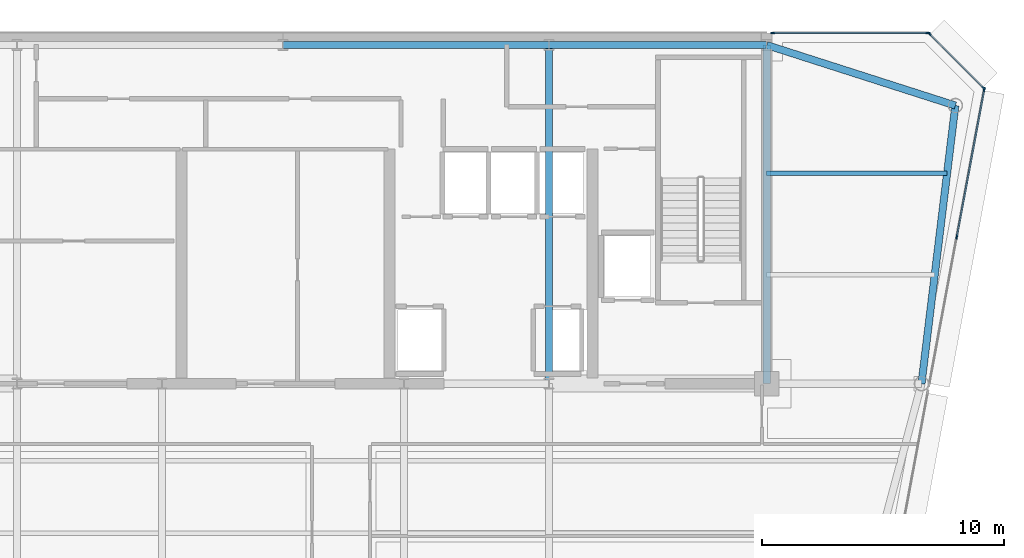
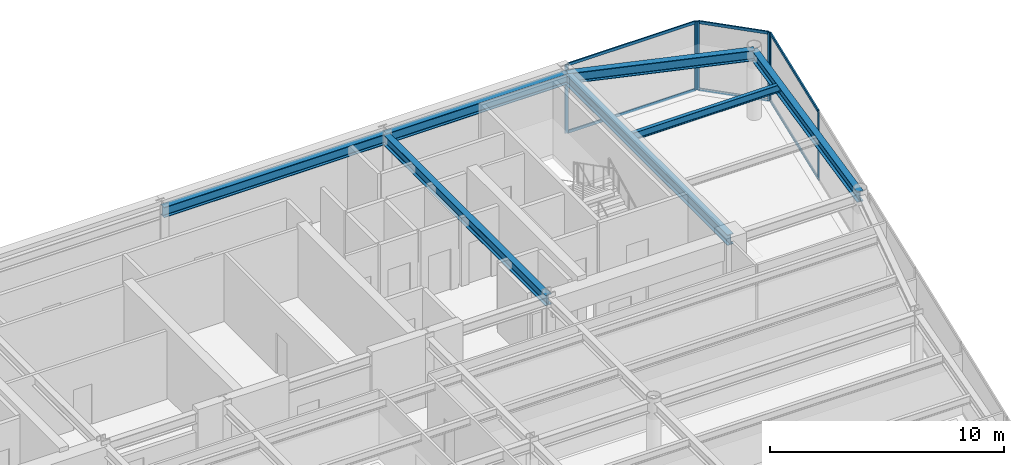
# One storey, part 8 of 18: 12 members, 7 beams, 3 elements without a shape of their own.
"""IFC4 building model written with IfcOpenShell, lengths in metres."""

from ifc_helpers import new_model, si_unit, direction, frame, origin, origin_2d, place, context, subcontext, project, spatial, rectangle, i_section, extrude, source, transform, mapped, material, layer, layer_set, material_profile, profile_set, type_object, element, aggregate, save


model = new_model("IFC4")

# Units and contexts
model_context = context("Model", 3, precision=1e-05, world=origin(), true_north=direction((0.0, 1.0)))
body_context = subcontext(model_context, "Body", "Model", "MODEL_VIEW")
ifc_project = project(units=[si_unit("LENGTHUNIT", "METRE"), si_unit("AREAUNIT", "SQUARE_METRE"), si_unit("VOLUMEUNIT", "CUBIC_METRE"), si_unit("PLANEANGLEUNIT", "RADIAN"), si_unit("MASSUNIT", "GRAM", prefix="KILO")], contexts=[model_context])

# Site, building, storey
site_placement = place(None, origin())
site = spatial("IfcSite", under=ifc_project, at=site_placement, CompositionType="ELEMENT")
building_placement = place(site_placement, origin())
building = spatial("IfcBuilding", under=site, at=building_placement, Name="Vaeldorn Concourse Tower", CompositionType="ELEMENT")
storey_placement = place(building_placement, frame((0.0, 0.0, 246.0)))
storey = spatial("IfcBuildingStorey", under=building, at=storey_placement, Name="L63", CompositionType="ELEMENT", Elevation=246.0)

# Beams
ifc_material_1 = material(Name="Steel S355", Category="steel")
ifc_material_profile_1 = material_profile(ifc_material_1, i_section(OverallWidth=0.179931640625, OverallDepth=0.39990234375, WebThickness=0.008544921875, FlangeThickness=0.013427734375, FilletRadius=0.02099609375, at=origin_2d()), Name="IPE 400")
ifc_profile_set_1 = profile_set([ifc_material_profile_1], Name="Steel S355")
beam_type_1 = type_object("IfcBeamType", Name="BM-JS-IPE400", PredefinedType="JOIST", material=ifc_profile_set_1)
shared_shape_1 = source(origin(), body_context, "Body", "SweptSolid", [
    extrude(i_section(OverallWidth=0.179931640625, OverallDepth=0.39990234375, WebThickness=0.008544921875, FlangeThickness=0.013427734375, FilletRadius=0.02099609375, at=origin_2d()), origin(), (0.0, 0.0, 1.0), 7.458984375),
])
beam_1_placement = place(storey_placement, frame((54.0, 45.199951171875, 3.3798828125), z_axis=(1.0, 0.0, 0.0), x_axis=(0.0, 1.0, 0.0)))
element("IfcBeam", 1, at=beam_1_placement, inside=storey, type_object=beam_type_1, Name="Beam JS-L63-NE-452", PredefinedType="JOIST", context=body_context, shape_type="MappedRepresentation", body=[
    mapped(shared_shape_1, transform((0.0, 0.0, 0.0), scale=1.0)),
])
ifc_material_profile_2 = material_profile(ifc_material_1, i_section(OverallWidth=0.300048828125, OverallDepth=0.550048828125, WebThickness=0.014892578125, FlangeThickness=0.029052734375, FilletRadius=0.027099609375, at=origin_2d()), Name="HEB 550")
ifc_profile_set_2 = profile_set([ifc_material_profile_2], Name="Steel S355")
beam_type_2 = type_object("IfcBeamType", Name="BM-PG-HEB550", PredefinedType="BEAM", material=ifc_profile_set_2)
shared_shape_2 = source(origin(), body_context, "Body", "SweptSolid", [
    extrude(i_section(OverallWidth=0.300048828125, OverallDepth=0.550048828125, WebThickness=0.014892578125, FlangeThickness=0.029052734375, FilletRadius=0.027099609375, at=origin_2d()), origin(), (0.0, 0.0, 1.0), 9.0),
])
beam_2_placement = place(storey_placement, frame((45.0, 50.5, 3.304931640625), z_axis=(1.0, 0.0, 0.0), x_axis=(0.0, 1.0, 0.0)))
element("IfcBeam", 2, at=beam_2_placement, inside=storey, type_object=beam_type_2, Name="Beam BM-L63-C-HC4-C-HC5", PredefinedType="BEAM", context=body_context, shape_type="MappedRepresentation", body=[
    mapped(shared_shape_2, transform((0.0, 0.0, 0.0), scale=1.0)),
])
shared_shape_3 = source(origin(), body_context, "Body", "SweptSolid", [
    extrude(i_section(OverallWidth=0.300048828125, OverallDepth=0.550048828125, WebThickness=0.014892578125, FlangeThickness=0.029052734375, FilletRadius=0.027099609375, at=origin_2d()), origin(), (0.0, 0.0, 1.0), 11.0),
])
beam_3_placement = place(storey_placement, frame((34.0, 50.5, 3.304931640625), z_axis=(1.0, 0.0, 0.0), x_axis=(0.0, 1.0, 0.0)))
element("IfcBeam", 3, at=beam_3_placement, inside=storey, type_object=beam_type_2, Name="Beam BM-L63-C-HC3-C-HC4", PredefinedType="BEAM", context=body_context, shape_type="MappedRepresentation", body=[
    mapped(shared_shape_3, transform((0.0, 0.0, 0.0), scale=1.0)),
])
shared_shape_4 = source(origin(), body_context, "Body", "SweptSolid", [
    extrude(i_section(OverallWidth=0.300048828125, OverallDepth=0.550048828125, WebThickness=0.014892578125, FlangeThickness=0.029052734375, FilletRadius=0.027099609375, at=origin_2d()), origin(), (0.0, 0.0, 1.0), 14.0),
])
for number, where, z_axis, x_axis, name in (
    (4, (45.0, 36.5, 3.304931640625), (0.0, 1.0, 0.0), (-1.0, 0.0, 0.0), "Beam BM-L63-C-FC5-C-HC4"),
    (5, (54.0, 36.5, 3.304931640625), (0.0, 1.0, 0.0), (-1.0, 0.0, 0.0), "Beam BM-L63-C-FC6-C-HC5"),
):
    element("IfcBeam", number, at=place(storey_placement, frame(where, z_axis=z_axis, x_axis=x_axis)), inside=storey, type_object=beam_type_2, Name=name, PredefinedType="BEAM", context=body_context, shape_type="MappedRepresentation", body=[
        mapped(shared_shape_4, transform((0.0, 0.0, 0.0), scale=1.0)),
    ])
shared_shape_5 = source(origin(), body_context, "Body", "SweptSolid", [
    extrude(i_section(OverallWidth=0.300048828125, OverallDepth=0.550048828125, WebThickness=0.014892578125, FlangeThickness=0.029052734375, FilletRadius=0.027099609375, at=origin_2d()), origin(), (0.0, 0.0, 1.0), 8.19091796875),
])
beam_4_placement = place(storey_placement, frame((54.0, 50.5, 3.304931640625), z_axis=(0.952282843383, -0.305216949396, 0.0), x_axis=(0.305216949396, 0.952282843383, 0.0)))
element("IfcBeam", 6, at=beam_4_placement, inside=storey, type_object=beam_type_2, Name="Beam BM-L63-C-HC5-C-NE1", PredefinedType="BEAM", context=body_context, shape_type="MappedRepresentation", body=[
    mapped(shared_shape_5, transform((0.0, 0.0, 0.0), scale=1.0)),
])
shared_shape_6 = source(origin(), body_context, "Body", "SweptSolid", [
    extrude(i_section(OverallWidth=0.300048828125, OverallDepth=0.550048828125, WebThickness=0.014892578125, FlangeThickness=0.029052734375, FilletRadius=0.027099609375, at=origin_2d()), origin(), (0.0, 0.0, 1.0), 11.5849609375),
])
beam_5_placement = place(storey_placement, frame((61.800048828125, 48.0, 3.304931640625), z_axis=(-0.120859382899, -0.992669637677, 0.0), x_axis=(0.992669637677, -0.120859382899, 0.0)))
element("IfcBeam", 7, at=beam_5_placement, inside=storey, type_object=beam_type_2, Name="Beam BM-L63-C-NE1-C-NE2", PredefinedType="BEAM", context=body_context, shape_type="MappedRepresentation", body=[
    mapped(shared_shape_6, transform((0.0, 0.0, 0.0), scale=1.0)),
])

# Curtain wall, members
ifc_material_2 = material(Name="Anodised Bronze Aluminium", Category="aluminium")
ifc_layer = layer(ifc_material_2, 0.179931640625)
ifc_layer_set = layer_set([ifc_layer], Name="Anodised Bronze Aluminium")
curtain_wall_type = type_object("IfcCurtainWallType", Name="CW-SYS-05", PredefinedType="NOTDEFINED", material=ifc_layer_set)
curtain_wall_1_placement = place(storey_placement, origin())
curtain_wall_1 = element("IfcCurtainWall", 8, at=curtain_wall_1_placement, inside=storey, type_object=curtain_wall_type, Name="Unitised Curtain Wall CW-L63-E08-1", PredefinedType="NOTDEFINED")
ifc_material_profile_3 = material_profile(ifc_material_2, rectangle(XDim=0.06494140625, YDim=0.14990234375, at=origin_2d()), Name="CWT 65x150")
ifc_profile_set_3 = profile_set([ifc_material_profile_3], Name="Anodised Bronze Aluminium")
member_type_1 = type_object("IfcMemberType", Name="CWT-BRONZE-150", PredefinedType="USERDEFINED", material=ifc_profile_set_3)
shared_shape_7 = source(origin(), body_context, "Body", "SweptSolid", [
    extrude(rectangle(XDim=0.06494140625, YDim=0.14990234375, at=origin_2d()), origin(), (0.0, 0.0, 1.0), 3.123046875),
])
member_1_placement = place(storey_placement, frame((62.9541015625, 48.745849609375, 0.032470703125), z_axis=(-0.707106781187, 0.707106781187, 0.0), x_axis=(-0.707106781187, -0.707106781187, 0.0)))
member_1 = element("IfcMember", 9, at=member_1_placement, type_object=member_type_1, Name="CW-05 transom 1.1", ObjectType="TRANSOM", PredefinedType="USERDEFINED", context=body_context, shape_type="MappedRepresentation", body=[
    mapped(shared_shape_7, transform((0.0, 0.0, 0.0), scale=1.0)),
])
member_2_placement = place(storey_placement, frame((62.9541015625, 48.745849609375, 3.547607421875), z_axis=(-0.707106781187, 0.707106781187, 0.0), x_axis=(-0.707106781187, -0.707106781187, 0.0)))
member_2 = element("IfcMember", 10, at=member_2_placement, type_object=member_type_1, Name="CW-05 transom 1.2", ObjectType="TRANSOM", PredefinedType="USERDEFINED", context=body_context, shape_type="MappedRepresentation", body=[
    mapped(shared_shape_7, transform((0.0, 0.0, 0.0), scale=1.0)),
])

curtain_wall_2_placement = place(storey_placement, origin())
curtain_wall_2 = element("IfcCurtainWall", 11, at=curtain_wall_2_placement, inside=storey, type_object=curtain_wall_type, Name="Unitised Curtain Wall CW-L63-E07-2", PredefinedType="NOTDEFINED")
ifc_material_profile_4 = material_profile(ifc_material_2, rectangle(XDim=0.06494140625, YDim=0.169921875, at=origin_2d()), Name="CWM 65x170")
ifc_profile_set_4 = profile_set([ifc_material_profile_4], Name="Anodised Bronze Aluminium")
member_type_2 = type_object("IfcMemberType", Name="CWM-BRONZE-170", PredefinedType="MULLION", material=ifc_profile_set_4)
shared_shape_8 = source(origin(), body_context, "Body", "SweptSolid", [
    extrude(rectangle(XDim=0.06494140625, YDim=0.169921875, at=origin_2d()), origin(), (0.0, 0.0, 1.0), 3.580078125),
])
member_3_placement = place(storey_placement, frame((61.857421875, 42.564208984375, 0.0), z_axis=(0.0, 0.0, 1.0), x_axis=(-0.983102768025, 0.183054493257, 0.0)))
member_3 = element("IfcMember", 12, at=member_3_placement, type_object=member_type_2, Name="CW-05 mullion 2", PredefinedType="MULLION", context=body_context, shape_type="MappedRepresentation", body=[
    mapped(shared_shape_8, transform((0.0, 0.0, 0.0), scale=1.0)),
])
member_4_placement = place(storey_placement, frame((62.994140625, 48.66796875, 0.0), z_axis=(0.0, 0.0, 1.0), x_axis=(-0.983102768025, 0.183054493257, 0.0)))
member_4 = element("IfcMember", 13, at=member_4_placement, type_object=member_type_2, Name="CW-05 mullion 3", PredefinedType="MULLION", context=body_context, shape_type="MappedRepresentation", body=[
    mapped(shared_shape_8, transform((0.0, 0.0, 0.0), scale=1.0)),
])

# Member
member_5_placement = place(storey_placement, frame((62.97705078125, 48.722900390625, 0.0), z_axis=(0.0, 0.0, 1.0), x_axis=(-0.707106781187, -0.707106781187, 0.0)))
member_5 = element("IfcMember", 14, at=member_5_placement, type_object=member_type_2, Name="CW-05 mullion 1", PredefinedType="MULLION", context=body_context, shape_type="MappedRepresentation", body=[
    mapped(shared_shape_8, transform((0.0, 0.0, 0.0), scale=1.0)),
])

member_6_placement = place(storey_placement, frame((60.722900390625, 50.97705078125, 0.0), z_axis=(0.0, 0.0, 1.0), x_axis=(-0.707106781187, -0.707106781187, 0.0)))
member_6 = element("IfcMember", 15, at=member_6_placement, type_object=member_type_2, Name="CW-05 mullion 2", PredefinedType="MULLION", context=body_context, shape_type="MappedRepresentation", body=[
    mapped(shared_shape_8, transform((0.0, 0.0, 0.0), scale=1.0)),
])

aggregate(curtain_wall_1, [member_5, member_6, member_1, member_2])

# Curtain wall, members
curtain_wall_3_placement = place(storey_placement, origin())
curtain_wall_3 = element("IfcCurtainWall", 16, at=curtain_wall_3_placement, inside=storey, type_object=curtain_wall_type, Name="Unitised Curtain Wall CW-L63-E09-1", PredefinedType="NOTDEFINED")
member_7_placement = place(storey_placement, frame((60.66748046875, 51.0, 0.0), z_axis=(0.0, 0.0, 1.0), x_axis=(0.0, -1.0, 0.0)))
member_7 = element("IfcMember", 17, at=member_7_placement, type_object=member_type_2, Name="CW-05 mullion 1", PredefinedType="MULLION", context=body_context, shape_type="MappedRepresentation", body=[
    mapped(shared_shape_8, transform((0.0, 0.0, 0.0), scale=1.0)),
])
member_8_placement = place(storey_placement, frame((54.25244140625, 51.0, 0.0), z_axis=(0.0, 0.0, 1.0), x_axis=(0.0, -1.0, 0.0)))
member_8 = element("IfcMember", 18, at=member_8_placement, type_object=member_type_2, Name="CW-05 mullion 2", PredefinedType="MULLION", context=body_context, shape_type="MappedRepresentation", body=[
    mapped(shared_shape_8, transform((0.0, 0.0, 0.0), scale=1.0)),
])

# Member
shared_shape_9 = source(origin(), body_context, "Body", "SweptSolid", [
    extrude(rectangle(XDim=0.06494140625, YDim=0.14990234375, at=origin_2d()), origin(), (0.0, 0.0, 1.0), 6.1435546875),
])
member_9_placement = place(storey_placement, frame((61.863525390625, 42.59619140625, 0.032470703125), z_axis=(0.183038328644, 0.983105777751, 0.0), x_axis=(-0.983105777751, 0.183038328644, 0.0)))
member_9 = element("IfcMember", 19, at=member_9_placement, type_object=member_type_1, Name="CW-05 transom 2.1", ObjectType="TRANSOM", PredefinedType="USERDEFINED", context=body_context, shape_type="MappedRepresentation", body=[
    mapped(shared_shape_9, transform((0.0, 0.0, 0.0), scale=1.0)),
])

member_10_placement = place(storey_placement, frame((61.863525390625, 42.59619140625, 3.547607421875), z_axis=(0.183038328644, 0.983105777751, 0.0), x_axis=(-0.983105777751, 0.183038328644, 0.0)))
member_10 = element("IfcMember", 20, at=member_10_placement, type_object=member_type_1, Name="CW-05 transom 2.2", ObjectType="TRANSOM", PredefinedType="USERDEFINED", context=body_context, shape_type="MappedRepresentation", body=[
    mapped(shared_shape_9, transform((0.0, 0.0, 0.0), scale=1.0)),
])

aggregate(curtain_wall_2, [member_3, member_4, member_9, member_10])

shared_shape_10 = source(origin(), body_context, "Body", "SweptSolid", [
    extrude(rectangle(XDim=0.06494140625, YDim=0.14990234375, at=origin_2d()), origin(), (0.0, 0.0, 1.0), 6.35009765625),
])
member_11_placement = place(storey_placement, frame((60.635009765625, 51.0, 0.032470703125), z_axis=(-1.0, 0.0, 0.0), x_axis=(0.0, -1.0, 0.0)))
member_11 = element("IfcMember", 21, at=member_11_placement, type_object=member_type_1, Name="CW-05 transom 1.1", ObjectType="TRANSOM", PredefinedType="USERDEFINED", context=body_context, shape_type="MappedRepresentation", body=[
    mapped(shared_shape_10, transform((0.0, 0.0, 0.0), scale=1.0)),
])

member_12_placement = place(storey_placement, frame((60.635009765625, 51.0, 3.547607421875), z_axis=(-1.0, 0.0, 0.0), x_axis=(0.0, -1.0, 0.0)))
member_12 = element("IfcMember", 22, at=member_12_placement, type_object=member_type_1, Name="CW-05 transom 1.2", ObjectType="TRANSOM", PredefinedType="USERDEFINED", context=body_context, shape_type="MappedRepresentation", body=[
    mapped(shared_shape_10, transform((0.0, 0.0, 0.0), scale=1.0)),
])

aggregate(curtain_wall_3, [member_7, member_8, member_11, member_12])

save(model, "model.ifc")
